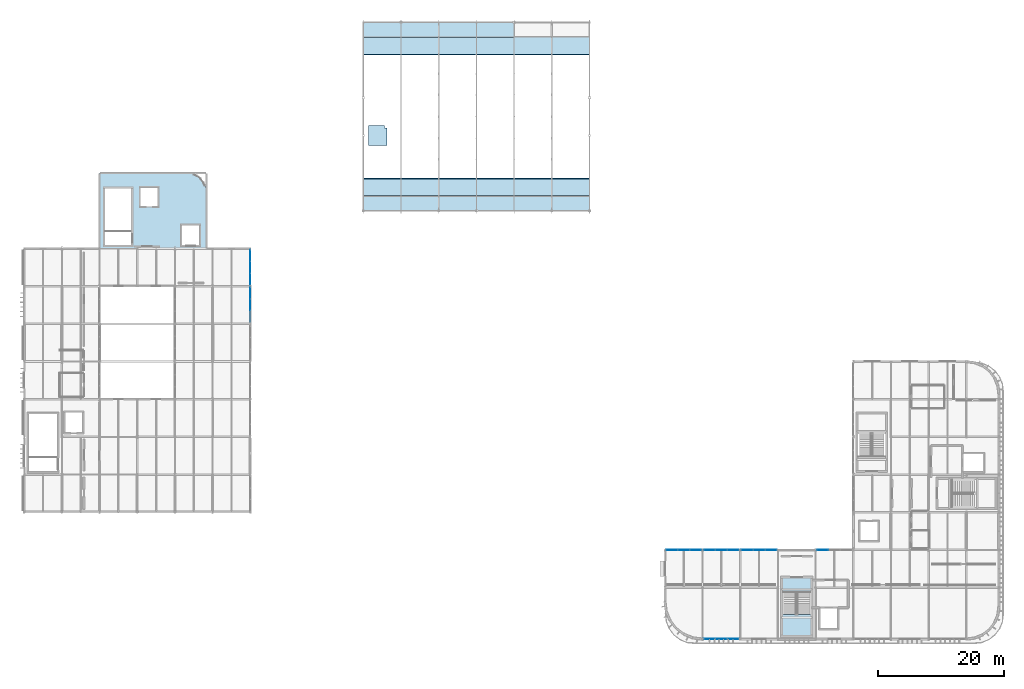
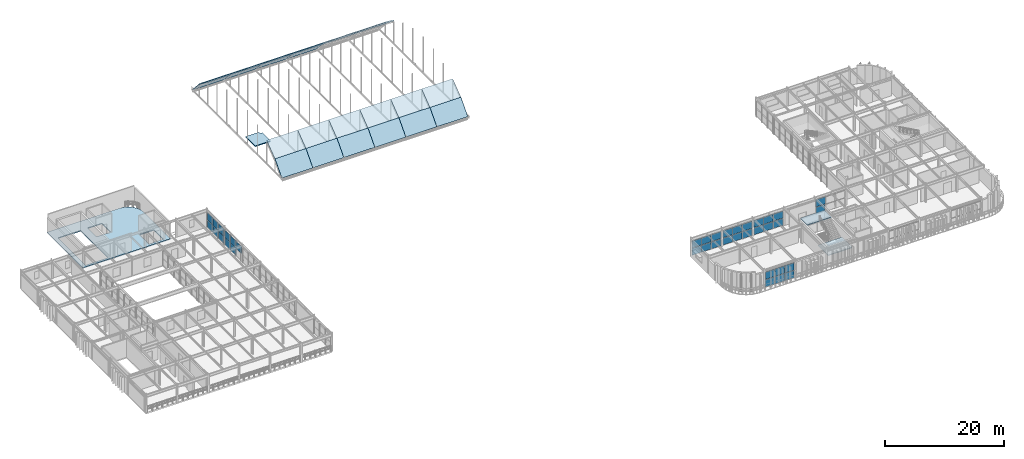
# One storey, part 44 of 63: 37 plates, 26 slabs, 8 elements without a shape of their own.
"""IFC4 building model written with IfcOpenShell, lengths in metres."""

from ifc_helpers import new_model, si_unit, direction, frame, origin, origin_2d, place, context, subcontext, project, spatial, polyline, rectangle, outline, extrude, material, layer, layer_set, type_object, element, aggregate, save


model = new_model("IFC4")

# Units and contexts
model_context = context("Model", 3, precision=1e-05, world=origin(), true_north=direction((0.0, 1.0)))
body_context = subcontext(model_context, "Body", "Model", "MODEL_VIEW")
ifc_project = project(units=[si_unit("LENGTHUNIT", "METRE"), si_unit("AREAUNIT", "SQUARE_METRE"), si_unit("VOLUMEUNIT", "CUBIC_METRE"), si_unit("PLANEANGLEUNIT", "RADIAN"), si_unit("MASSUNIT", "GRAM", prefix="KILO")], contexts=[model_context])

# Site, building, storey
site_placement = place(None, origin())
site = spatial("IfcSite", under=ifc_project, at=site_placement, CompositionType="ELEMENT")
building_placement = place(site_placement, origin())
building = spatial("IfcBuilding", under=site, at=building_placement, Name="Varnakota Square Police Headquarters", CompositionType="ELEMENT")
storey_placement = place(building_placement, frame((0.0, 0.0, 22.199951171875)))
storey = spatial("IfcBuildingStorey", under=building, at=storey_placement, Name="L05", CompositionType="ELEMENT", Elevation=22.199951171875)

# Curtain wall, plates
ifc_material_1 = material(Name="Anodised Aluminium Framing", Category="aluminium")
curtain_wall_type_1 = type_object("IfcCurtainWallType", Name="CW-SYS-C", PredefinedType="NOTDEFINED", material=ifc_material_1)
curtain_wall_1_placement = place(storey_placement, origin())
curtain_wall_1 = element("IfcCurtainWall", 1, at=curtain_wall_1_placement, inside=storey, type_object=curtain_wall_type_1, Name="Unitised curtain wall CWG-L05-099", PredefinedType="NOTDEFINED")
ifc_material_2 = material(Name="Solar-Control Laminated Double Glazing", Category="glass")
ifc_layer_1 = layer(ifc_material_2, 0.028076171875, Name="Solar-Control Laminated Double Glazing")
ifc_layer_set_1 = layer_set([ifc_layer_1], Name="Solar-Control Laminated Double Glazing")
plate_type_1 = type_object("IfcPlateType", Name="CWP-GLZ-28", PredefinedType="CURTAIN_PANEL", material=ifc_layer_set_1)
plate_1_placement = place(storey_placement, frame((115.10302734375, 0.800048828125, 0.06494140625), z_axis=(0.0, 0.0, 1.0), x_axis=(1.0, 0.0, 0.0)))
plate_1 = element("IfcPlate", 2, at=plate_1_placement, type_object=plate_type_1, Name="CWG-L05-099 panel 1.1", PredefinedType="CURTAIN_PANEL", context=body_context, shape_type="SweptSolid", body=[
    extrude(rectangle(XDim=1.81591796875, YDim=0.028076171875, at=origin_2d()), origin(), (0.0, 0.0, 1.0), 1.517578125),
])
plate_2_placement = place(storey_placement, frame((117.0, 0.800048828125, 0.06494140625), z_axis=(0.0, 0.0, 1.0), x_axis=(1.0, 0.0, 0.0)))
plate_2 = element("IfcPlate", 3, at=plate_2_placement, type_object=plate_type_1, Name="CWG-L05-099 panel 2.1", PredefinedType="CURTAIN_PANEL", context=body_context, shape_type="SweptSolid", body=[
    extrude(rectangle(XDim=1.848388671875, YDim=0.028076171875, at=origin_2d()), origin(), (0.0, 0.0, 1.0), 1.517578125),
])
plate_3_placement = place(storey_placement, frame((118.89697265625, 0.800048828125, 0.06494140625), z_axis=(0.0, 0.0, 1.0), x_axis=(1.0, 0.0, 0.0)))
plate_3 = element("IfcPlate", 4, at=plate_3_placement, type_object=plate_type_1, Name="CWG-L05-099 panel 3.1", PredefinedType="CURTAIN_PANEL", context=body_context, shape_type="SweptSolid", body=[
    extrude(rectangle(XDim=1.81591796875, YDim=0.028076171875, at=origin_2d()), origin(), (0.0, 0.0, 1.0), 1.517578125),
])

curtain_wall_type_2 = type_object("IfcCurtainWallType", Name="CW-SYS-D", PredefinedType="NOTDEFINED", material=ifc_material_1)
curtain_wall_2_placement = place(storey_placement, origin())
curtain_wall_2 = element("IfcCurtainWall", 5, at=curtain_wall_2_placement, inside=storey, type_object=curtain_wall_type_2, Name="Unitised curtain wall CWG-L05-103", PredefinedType="NOTDEFINED")
plate_4_placement = place(storey_placement, frame((115.10302734375, 15.0, 0.065185546875), z_axis=(0.0, 0.0, 1.0), x_axis=(1.0, 0.0, 0.0)))
plate_4 = element("IfcPlate", 6, at=plate_4_placement, type_object=plate_type_1, Name="CWG-L05-103 panel 1.1", PredefinedType="CURTAIN_PANEL", context=body_context, shape_type="SweptSolid", body=[
    extrude(rectangle(XDim=1.81591796875, YDim=0.028076171875, at=origin_2d()), origin(), (0.0, 0.0, 1.0), 1.4423828125),
])
plate_5_placement = place(storey_placement, frame((117.0, 15.0, 0.065185546875), z_axis=(0.0, 0.0, 1.0), x_axis=(1.0, 0.0, 0.0)))
plate_5 = element("IfcPlate", 7, at=plate_5_placement, type_object=plate_type_1, Name="CWG-L05-103 panel 2.1", PredefinedType="CURTAIN_PANEL", context=body_context, shape_type="SweptSolid", body=[
    extrude(rectangle(XDim=1.848388671875, YDim=0.028076171875, at=origin_2d()), origin(), (0.0, 0.0, 1.0), 1.4423828125),
])
plate_6_placement = place(storey_placement, frame((118.89697265625, 15.0, 0.065185546875), z_axis=(0.0, 0.0, 1.0), x_axis=(1.0, 0.0, 0.0)))
plate_6 = element("IfcPlate", 8, at=plate_6_placement, type_object=plate_type_1, Name="CWG-L05-103 panel 3.1", PredefinedType="CURTAIN_PANEL", context=body_context, shape_type="SweptSolid", body=[
    extrude(rectangle(XDim=1.81591796875, YDim=0.028076171875, at=origin_2d()), origin(), (0.0, 0.0, 1.0), 1.4423828125),
])

curtain_wall_3_placement = place(storey_placement, origin())
curtain_wall_3 = element("IfcCurtainWall", 9, at=curtain_wall_3_placement, inside=storey, type_object=curtain_wall_type_2, Name="Unitised curtain wall CWG-L05-104", PredefinedType="NOTDEFINED")
ifc_material_3 = material(Name="Acoustic Laminated Double Glazing", Category="glass")
ifc_layer_2 = layer(ifc_material_3, 0.031982421875, Name="Acoustic Laminated Double Glazing")
ifc_layer_set_2 = layer_set([ifc_layer_2], Name="Acoustic Laminated Double Glazing")
plate_type_2 = type_object("IfcPlateType", Name="CWP-GLZ-32", PredefinedType="CURTAIN_PANEL", material=ifc_layer_set_2)
plate_7_placement = place(storey_placement, frame((121.10302734375, 15.0, 0.065185546875), z_axis=(0.0, 0.0, 1.0), x_axis=(1.0, 0.0, 0.0)))
plate_7 = element("IfcPlate", 10, at=plate_7_placement, type_object=plate_type_2, Name="CWG-L05-104 panel 1.1", PredefinedType="CURTAIN_PANEL", context=body_context, shape_type="SweptSolid", body=[
    extrude(rectangle(XDim=1.81591796875, YDim=0.031982421875, at=origin_2d()), origin(), (0.0, 0.0, 1.0), 1.4423828125),
])
plate_8_placement = place(storey_placement, frame((123.0, 15.0, 0.065185546875), z_axis=(0.0, 0.0, 1.0), x_axis=(1.0, 0.0, 0.0)))
plate_8 = element("IfcPlate", 11, at=plate_8_placement, type_object=plate_type_2, Name="CWG-L05-104 panel 2.1", PredefinedType="CURTAIN_PANEL", context=body_context, shape_type="SweptSolid", body=[
    extrude(rectangle(XDim=1.848388671875, YDim=0.031982421875, at=origin_2d()), origin(), (0.0, 0.0, 1.0), 1.4423828125),
])
plate_9_placement = place(storey_placement, frame((124.89697265625, 15.0, 0.065185546875), z_axis=(0.0, 0.0, 1.0), x_axis=(1.0, 0.0, 0.0)))
plate_9 = element("IfcPlate", 12, at=plate_9_placement, type_object=plate_type_2, Name="CWG-L05-104 panel 3.1", PredefinedType="CURTAIN_PANEL", context=body_context, shape_type="SweptSolid", body=[
    extrude(rectangle(XDim=1.81591796875, YDim=0.031982421875, at=origin_2d()), origin(), (0.0, 0.0, 1.0), 1.4423828125),
])

curtain_wall_4_placement = place(storey_placement, origin())
curtain_wall_4 = element("IfcCurtainWall", 13, at=curtain_wall_4_placement, inside=storey, type_object=curtain_wall_type_2, Name="Unitised curtain wall CWG-L05-196", PredefinedType="NOTDEFINED")
plate_10_placement = place(storey_placement, frame((42.0, 54.0625, 0.065185546875), z_axis=(0.0, 0.0, 1.0), x_axis=(0.0, 1.0, 0.0)))
plate_10 = element("IfcPlate", 14, at=plate_10_placement, type_object=plate_type_2, Name="CWG-L05-196 panel 2.1", PredefinedType="CURTAIN_PANEL", context=body_context, shape_type="SweptSolid", body=[
    extrude(rectangle(XDim=1.806640625, YDim=0.031982421875, at=origin_2d()), origin(), (0.0, 0.0, 1.0), 1.4423828125),
])
plate_11_placement = place(storey_placement, frame((42.0, 55.91796875, 0.065185546875), z_axis=(0.0, 0.0, 1.0), x_axis=(0.0, 1.0, 0.0)))
plate_11 = element("IfcPlate", 15, at=plate_11_placement, type_object=plate_type_2, Name="CWG-L05-196 panel 3.1", PredefinedType="CURTAIN_PANEL", context=body_context, shape_type="SweptSolid", body=[
    extrude(rectangle(XDim=1.774169921875, YDim=0.031982421875, at=origin_2d()), origin(), (0.0, 0.0, 1.0), 1.4423828125),
])

# Curtain wall, plate
curtain_wall_5_placement = place(storey_placement, origin())
curtain_wall_5 = element("IfcCurtainWall", 16, at=curtain_wall_5_placement, inside=storey, type_object=curtain_wall_type_2, Name="Unitised curtain wall CWG-L05-105", PredefinedType="NOTDEFINED")
ifc_material_4 = material(Name="Blast-Resistant Laminated Glazing", Category="glass")
ifc_layer_3 = layer(ifc_material_4, 0.035888671875, Name="Blast-Resistant Laminated Glazing")
ifc_layer_set_3 = layer_set([ifc_layer_3], Name="Blast-Resistant Laminated Glazing")
plate_type_3 = type_object("IfcPlateType", Name="CWP-GLZ-36", PredefinedType="CURTAIN_PANEL", material=ifc_layer_set_3)
plate_12_placement = place(storey_placement, frame((133.10302734375, 15.0, 0.06494140625), z_axis=(0.0, 0.0, 1.0), x_axis=(1.0, 0.0, 0.0)))
plate_12 = element("IfcPlate", 17, at=plate_12_placement, type_object=plate_type_3, Name="CWG-L05-105 panel 1.1", PredefinedType="CURTAIN_PANEL", context=body_context, shape_type="SweptSolid", body=[
    extrude(rectangle(XDim=1.81591796875, YDim=0.035888671875, at=origin_2d()), origin(), (0.0, 0.0, 1.0), 1.467529296875),
])

# Curtain wall, plates
curtain_wall_6_placement = place(storey_placement, origin())
curtain_wall_6 = element("IfcCurtainWall", 18, at=curtain_wall_6_placement, inside=storey, type_object=curtain_wall_type_2, Name="Unitised curtain wall CWG-L05-197", PredefinedType="NOTDEFINED")
plate_13_placement = place(storey_placement, frame((42.0, 58.0986328125, 0.065185546875), z_axis=(0.0, 0.0, 1.0), x_axis=(0.0, 1.0, 0.0)))
plate_13 = element("IfcPlate", 19, at=plate_13_placement, type_object=plate_type_3, Name="CWG-L05-197 panel 1.1", PredefinedType="CURTAIN_PANEL", context=body_context, shape_type="SweptSolid", body=[
    extrude(rectangle(XDim=1.8076171875, YDim=0.035888671875, at=origin_2d()), origin(), (0.0, 0.0, 1.0), 1.4423828125),
])
plate_14_placement = place(storey_placement, frame((42.0, 59.987548828125, 0.065185546875), z_axis=(0.0, 0.0, 1.0), x_axis=(0.0, 1.0, 0.0)))
plate_14 = element("IfcPlate", 20, at=plate_14_placement, type_object=plate_type_3, Name="CWG-L05-197 panel 2.1", PredefinedType="CURTAIN_PANEL", context=body_context, shape_type="SweptSolid", body=[
    extrude(rectangle(XDim=1.840087890625, YDim=0.035888671875, at=origin_2d()), origin(), (0.0, 0.0, 1.0), 1.4423828125),
])
plate_15_placement = place(storey_placement, frame((42.0, 61.876220703125, 0.065185546875), z_axis=(0.0, 0.0, 1.0), x_axis=(0.0, 1.0, 0.0)))
plate_15 = element("IfcPlate", 21, at=plate_15_placement, type_object=plate_type_3, Name="CWG-L05-197 panel 3.1", PredefinedType="CURTAIN_PANEL", context=body_context, shape_type="SweptSolid", body=[
    extrude(rectangle(XDim=1.8076171875, YDim=0.035888671875, at=origin_2d()), origin(), (0.0, 0.0, 1.0), 1.4423828125),
])

curtain_wall_7_placement = place(storey_placement, origin())
curtain_wall_7 = element("IfcCurtainWall", 22, at=curtain_wall_7_placement, inside=storey, type_object=curtain_wall_type_2, Name="Unitised curtain wall CWG-L05-102", PredefinedType="NOTDEFINED")
ifc_material_5 = material(Name="Triple-Glazed Clean-Lab Vision Unit", Category="aluminium")
ifc_layer_4 = layer(ifc_material_5, 0.0419921875, Name="Triple-Glazed Clean-Lab Vision Unit")
ifc_layer_set_4 = layer_set([ifc_layer_4], Name="Triple-Glazed Clean-Lab Vision Unit")
plate_type_4 = type_object("IfcPlateType", Name="CWP-GLZ-42", PredefinedType="CURTAIN_PANEL", material=ifc_layer_set_4)
plate_16_placement = place(storey_placement, frame((109.10302734375, 15.0, 0.065185546875), z_axis=(0.0, 0.0, 1.0), x_axis=(1.0, 0.0, 0.0)))
plate_16 = element("IfcPlate", 23, at=plate_16_placement, type_object=plate_type_4, Name="CWG-L05-102 panel 1.1", PredefinedType="CURTAIN_PANEL", context=body_context, shape_type="SweptSolid", body=[
    extrude(rectangle(XDim=1.81591796875, YDim=0.0419921875, at=origin_2d()), origin(), (0.0, 0.0, 1.0), 1.4423828125),
])
plate_17_placement = place(storey_placement, frame((111.0, 15.0, 0.065185546875), z_axis=(0.0, 0.0, 1.0), x_axis=(1.0, 0.0, 0.0)))
plate_17 = element("IfcPlate", 24, at=plate_17_placement, type_object=plate_type_4, Name="CWG-L05-102 panel 2.1", PredefinedType="CURTAIN_PANEL", context=body_context, shape_type="SweptSolid", body=[
    extrude(rectangle(XDim=1.848388671875, YDim=0.0419921875, at=origin_2d()), origin(), (0.0, 0.0, 1.0), 1.4423828125),
])
plate_18_placement = place(storey_placement, frame((112.89697265625, 15.0, 0.065185546875), z_axis=(0.0, 0.0, 1.0), x_axis=(1.0, 0.0, 0.0)))
plate_18 = element("IfcPlate", 25, at=plate_18_placement, type_object=plate_type_4, Name="CWG-L05-102 panel 3.1", PredefinedType="CURTAIN_PANEL", context=body_context, shape_type="SweptSolid", body=[
    extrude(rectangle(XDim=1.81591796875, YDim=0.0419921875, at=origin_2d()), origin(), (0.0, 0.0, 1.0), 1.4423828125),
])

# Plate
ifc_material_6 = material(Name="Insulated Anodised Aluminium Spandrel Panel", Category="aluminium")
ifc_layer_5 = layer(ifc_material_6, 0.050048828125, Name="Insulated Anodised Aluminium Spandrel Panel")
ifc_layer_set_5 = layer_set([ifc_layer_5], Name="Insulated Anodised Aluminium Spandrel Panel")
plate_type_5 = type_object("IfcPlateType", Name="CWP-SPN-50", PredefinedType="CURTAIN_PANEL", material=ifc_layer_set_5)
plate_19_placement = place(storey_placement, frame((115.10302734375, 0.800048828125, 1.6474609375), z_axis=(0.0, 0.0, 1.0), x_axis=(1.0, 0.0, 0.0)))
plate_19 = element("IfcPlate", 26, at=plate_19_placement, type_object=plate_type_5, Name="CWG-L05-099 panel 1.2", PredefinedType="CURTAIN_PANEL", context=body_context, shape_type="SweptSolid", body=[
    extrude(rectangle(XDim=1.81591796875, YDim=0.050048828125, at=origin_2d()), origin(), (0.0, 0.0, 1.0), 1.517578125),
])

plate_20_placement = place(storey_placement, frame((117.0, 0.800048828125, 1.6474609375), z_axis=(0.0, 0.0, 1.0), x_axis=(1.0, 0.0, 0.0)))
plate_20 = element("IfcPlate", 27, at=plate_20_placement, type_object=plate_type_5, Name="CWG-L05-099 panel 2.2", PredefinedType="CURTAIN_PANEL", context=body_context, shape_type="SweptSolid", body=[
    extrude(rectangle(XDim=1.848388671875, YDim=0.050048828125, at=origin_2d()), origin(), (0.0, 0.0, 1.0), 1.517578125),
])

plate_21_placement = place(storey_placement, frame((118.89697265625, 0.800048828125, 1.6474609375), z_axis=(0.0, 0.0, 1.0), x_axis=(1.0, 0.0, 0.0)))
plate_21 = element("IfcPlate", 28, at=plate_21_placement, type_object=plate_type_5, Name="CWG-L05-099 panel 3.2", PredefinedType="CURTAIN_PANEL", context=body_context, shape_type="SweptSolid", body=[
    extrude(rectangle(XDim=1.81591796875, YDim=0.050048828125, at=origin_2d()), origin(), (0.0, 0.0, 1.0), 1.517578125),
])

aggregate(curtain_wall_1, [plate_1, plate_19, plate_2, plate_20, plate_3, plate_21])

plate_22_placement = place(storey_placement, frame((115.10302734375, 15.0, 1.572509765625), z_axis=(0.0, 0.0, 1.0), x_axis=(1.0, 0.0, 0.0)))
plate_22 = element("IfcPlate", 29, at=plate_22_placement, type_object=plate_type_5, Name="CWG-L05-103 panel 1.2", PredefinedType="CURTAIN_PANEL", context=body_context, shape_type="SweptSolid", body=[
    extrude(rectangle(XDim=1.81591796875, YDim=0.050048828125, at=origin_2d()), origin(), (0.0, 0.0, 1.0), 1.4423828125),
])

plate_23_placement = place(storey_placement, frame((117.0, 15.0, 1.572509765625), z_axis=(0.0, 0.0, 1.0), x_axis=(1.0, 0.0, 0.0)))
plate_23 = element("IfcPlate", 30, at=plate_23_placement, type_object=plate_type_5, Name="CWG-L05-103 panel 2.2", PredefinedType="CURTAIN_PANEL", context=body_context, shape_type="SweptSolid", body=[
    extrude(rectangle(XDim=1.848388671875, YDim=0.050048828125, at=origin_2d()), origin(), (0.0, 0.0, 1.0), 1.4423828125),
])

plate_24_placement = place(storey_placement, frame((118.89697265625, 15.0, 1.572509765625), z_axis=(0.0, 0.0, 1.0), x_axis=(1.0, 0.0, 0.0)))
plate_24 = element("IfcPlate", 31, at=plate_24_placement, type_object=plate_type_5, Name="CWG-L05-103 panel 3.2", PredefinedType="CURTAIN_PANEL", context=body_context, shape_type="SweptSolid", body=[
    extrude(rectangle(XDim=1.81591796875, YDim=0.050048828125, at=origin_2d()), origin(), (0.0, 0.0, 1.0), 1.4423828125),
])

aggregate(curtain_wall_2, [plate_4, plate_22, plate_5, plate_23, plate_6, plate_24])

plate_25_placement = place(storey_placement, frame((133.10302734375, 15.0, 1.59765625), z_axis=(0.0, 0.0, 1.0), x_axis=(1.0, 0.0, 0.0)))
plate_25 = element("IfcPlate", 32, at=plate_25_placement, type_object=plate_type_5, Name="CWG-L05-105 panel 1.2", PredefinedType="CURTAIN_PANEL", context=body_context, shape_type="SweptSolid", body=[
    extrude(rectangle(XDim=1.81591796875, YDim=0.050048828125, at=origin_2d()), origin(), (0.0, 0.0, 1.0), 1.467529296875),
])

aggregate(curtain_wall_5, [plate_12, plate_25])

plate_26_placement = place(storey_placement, frame((42.0, 58.0986328125, 1.572509765625), z_axis=(0.0, 0.0, 1.0), x_axis=(0.0, 1.0, 0.0)))
plate_26 = element("IfcPlate", 33, at=plate_26_placement, type_object=plate_type_5, Name="CWG-L05-197 panel 1.2", PredefinedType="CURTAIN_PANEL", context=body_context, shape_type="SweptSolid", body=[
    extrude(rectangle(XDim=1.8076171875, YDim=0.050048828125, at=origin_2d()), origin(), (0.0, 0.0, 1.0), 1.4423828125),
])

plate_27_placement = place(storey_placement, frame((42.0, 59.987548828125, 1.572509765625), z_axis=(0.0, 0.0, 1.0), x_axis=(0.0, 1.0, 0.0)))
plate_27 = element("IfcPlate", 34, at=plate_27_placement, type_object=plate_type_5, Name="CWG-L05-197 panel 2.2", PredefinedType="CURTAIN_PANEL", context=body_context, shape_type="SweptSolid", body=[
    extrude(rectangle(XDim=1.840087890625, YDim=0.050048828125, at=origin_2d()), origin(), (0.0, 0.0, 1.0), 1.4423828125),
])

plate_28_placement = place(storey_placement, frame((42.0, 61.876220703125, 1.572509765625), z_axis=(0.0, 0.0, 1.0), x_axis=(0.0, 1.0, 0.0)))
plate_28 = element("IfcPlate", 35, at=plate_28_placement, type_object=plate_type_5, Name="CWG-L05-197 panel 3.2", PredefinedType="CURTAIN_PANEL", context=body_context, shape_type="SweptSolid", body=[
    extrude(rectangle(XDim=1.8076171875, YDim=0.050048828125, at=origin_2d()), origin(), (0.0, 0.0, 1.0), 1.4423828125),
])

aggregate(curtain_wall_6, [plate_13, plate_26, plate_14, plate_27, plate_15, plate_28])

ifc_material_7 = material(Name="Fire-Stopped Mineral-Wool Spandrel Panel", Category="aluminium")
ifc_layer_6 = layer(ifc_material_7, 0.06005859375, Name="Fire-Stopped Mineral-Wool Spandrel Panel")
ifc_layer_set_6 = layer_set([ifc_layer_6], Name="Fire-Stopped Mineral-Wool Spandrel Panel")
plate_type_6 = type_object("IfcPlateType", Name="CWP-SPN-60", PredefinedType="CURTAIN_PANEL", material=ifc_layer_set_6)
plate_29_placement = place(storey_placement, frame((109.10302734375, 15.0, 1.572509765625), z_axis=(0.0, 0.0, 1.0), x_axis=(1.0, 0.0, 0.0)))
plate_29 = element("IfcPlate", 36, at=plate_29_placement, type_object=plate_type_6, Name="CWG-L05-102 panel 1.2", PredefinedType="CURTAIN_PANEL", context=body_context, shape_type="SweptSolid", body=[
    extrude(rectangle(XDim=1.81591796875, YDim=0.06005859375, at=origin_2d()), origin(), (0.0, 0.0, 1.0), 1.4423828125),
])

plate_30_placement = place(storey_placement, frame((111.0, 15.0, 1.572509765625), z_axis=(0.0, 0.0, 1.0), x_axis=(1.0, 0.0, 0.0)))
plate_30 = element("IfcPlate", 37, at=plate_30_placement, type_object=plate_type_6, Name="CWG-L05-102 panel 2.2", PredefinedType="CURTAIN_PANEL", context=body_context, shape_type="SweptSolid", body=[
    extrude(rectangle(XDim=1.848388671875, YDim=0.06005859375, at=origin_2d()), origin(), (0.0, 0.0, 1.0), 1.4423828125),
])

plate_31_placement = place(storey_placement, frame((112.89697265625, 15.0, 1.572509765625), z_axis=(0.0, 0.0, 1.0), x_axis=(1.0, 0.0, 0.0)))
plate_31 = element("IfcPlate", 38, at=plate_31_placement, type_object=plate_type_6, Name="CWG-L05-102 panel 3.2", PredefinedType="CURTAIN_PANEL", context=body_context, shape_type="SweptSolid", body=[
    extrude(rectangle(XDim=1.81591796875, YDim=0.06005859375, at=origin_2d()), origin(), (0.0, 0.0, 1.0), 1.4423828125),
])

aggregate(curtain_wall_7, [plate_16, plate_29, plate_17, plate_30, plate_18, plate_31])

plate_32_placement = place(storey_placement, frame((121.10302734375, 15.0, 1.572509765625), z_axis=(0.0, 0.0, 1.0), x_axis=(1.0, 0.0, 0.0)))
plate_32 = element("IfcPlate", 39, at=plate_32_placement, type_object=plate_type_6, Name="CWG-L05-104 panel 1.2", PredefinedType="CURTAIN_PANEL", context=body_context, shape_type="SweptSolid", body=[
    extrude(rectangle(XDim=1.81591796875, YDim=0.06005859375, at=origin_2d()), origin(), (0.0, 0.0, 1.0), 1.4423828125),
])

plate_33_placement = place(storey_placement, frame((123.0, 15.0, 1.572509765625), z_axis=(0.0, 0.0, 1.0), x_axis=(1.0, 0.0, 0.0)))
plate_33 = element("IfcPlate", 40, at=plate_33_placement, type_object=plate_type_6, Name="CWG-L05-104 panel 2.2", PredefinedType="CURTAIN_PANEL", context=body_context, shape_type="SweptSolid", body=[
    extrude(rectangle(XDim=1.848388671875, YDim=0.06005859375, at=origin_2d()), origin(), (0.0, 0.0, 1.0), 1.4423828125),
])

plate_34_placement = place(storey_placement, frame((124.89697265625, 15.0, 1.572509765625), z_axis=(0.0, 0.0, 1.0), x_axis=(1.0, 0.0, 0.0)))
plate_34 = element("IfcPlate", 41, at=plate_34_placement, type_object=plate_type_6, Name="CWG-L05-104 panel 3.2", PredefinedType="CURTAIN_PANEL", context=body_context, shape_type="SweptSolid", body=[
    extrude(rectangle(XDim=1.81591796875, YDim=0.06005859375, at=origin_2d()), origin(), (0.0, 0.0, 1.0), 1.4423828125),
])

aggregate(curtain_wall_3, [plate_7, plate_32, plate_8, plate_33, plate_9, plate_34])

plate_35_placement = place(storey_placement, frame((42.0, 52.20703125, 1.572509765625), z_axis=(0.0, 0.0, 1.0), x_axis=(0.0, 1.0, 0.0)))
plate_35 = element("IfcPlate", 42, at=plate_35_placement, type_object=plate_type_6, Name="CWG-L05-196 panel 1.2", PredefinedType="CURTAIN_PANEL", context=body_context, shape_type="SweptSolid", body=[
    extrude(rectangle(XDim=1.774169921875, YDim=0.06005859375, at=origin_2d()), origin(), (0.0, 0.0, 1.0), 1.4423828125),
])

plate_36_placement = place(storey_placement, frame((42.0, 54.0625, 1.572509765625), z_axis=(0.0, 0.0, 1.0), x_axis=(0.0, 1.0, 0.0)))
plate_36 = element("IfcPlate", 43, at=plate_36_placement, type_object=plate_type_6, Name="CWG-L05-196 panel 2.2", PredefinedType="CURTAIN_PANEL", context=body_context, shape_type="SweptSolid", body=[
    extrude(rectangle(XDim=1.806640625, YDim=0.06005859375, at=origin_2d()), origin(), (0.0, 0.0, 1.0), 1.4423828125),
])

plate_37_placement = place(storey_placement, frame((42.0, 55.91796875, 1.572509765625), z_axis=(0.0, 0.0, 1.0), x_axis=(0.0, 1.0, 0.0)))
plate_37 = element("IfcPlate", 44, at=plate_37_placement, type_object=plate_type_6, Name="CWG-L05-196 panel 3.2", PredefinedType="CURTAIN_PANEL", context=body_context, shape_type="SweptSolid", body=[
    extrude(rectangle(XDim=1.774169921875, YDim=0.06005859375, at=origin_2d()), origin(), (0.0, 0.0, 1.0), 1.4423828125),
])

aggregate(curtain_wall_4, [plate_35, plate_10, plate_36, plate_11, plate_37])

# Slabs
ifc_material_8 = material(Name="Concrete M40", Category="concrete")
ifc_layer_7 = layer(ifc_material_8, 0.179931640625, Name="Concrete M40")
ifc_layer_set_7 = layer_set([ifc_layer_7], Name="Concrete M40")
slab_type_1 = type_object("IfcSlabType", Name="SL-COMP-180", PredefinedType="FLOOR", material=ifc_layer_set_7)
slab_1_placement = place(storey_placement, frame((0.0, 0.0, -0.179931640625)))
element("IfcSlab", 45, at=slab_1_placement, inside=storey, type_object=slab_type_1, Name="L05 Core C5 Lobby Slab", PredefinedType="FLOOR", context=body_context, shape_type="SweptSolid", body=[
    extrude(outline(polyline([(18.0, 63.0), (35.0, 63.0), (35.0, 72.0), (34.897705078125, 72.776611328125), (34.59814453125, 73.5), (34.121337890625, 74.121337890625), (33.5, 74.59814453125), (32.776611328125, 74.897705078125), (32.0, 75.0), (18.0, 75.0), (18.0, 63.0)]), holes=[polyline([(18.7548828125, 63.455078125), (23.14501953125, 63.455078125), (23.14501953125, 72.64501953125), (18.7548828125, 72.64501953125), (18.7548828125, 63.455078125)]), polyline([(24.514892578125, 69.715087890625), (27.284912109375, 69.715087890625), (27.284912109375, 72.68505859375), (24.514892578125, 72.68505859375), (24.514892578125, 69.715087890625)]), polyline([(31.114990234375, 63.514892578125), (33.885009765625, 63.514892578125), (33.885009765625, 66.68505859375), (31.114990234375, 66.68505859375), (31.114990234375, 63.514892578125)])]), origin(), (0.0, 0.0, 1.0), 0.179931640625),
])
ifc_layer_8 = layer(ifc_material_8, 0.199951171875, Name="Concrete M40")
ifc_layer_set_8 = layer_set([ifc_layer_8], Name="Concrete M40")
slab_type_2 = type_object("IfcSlabType", Name="SL-COMP-200", PredefinedType="FLOOR", material=ifc_layer_set_8)
slab_2_placement = place(storey_placement, frame((0.0, 0.0, -0.199951171875)))
element("IfcSlab", 46, at=slab_2_placement, inside=storey, type_object=slab_type_2, Name="Lift shaft top slab LF-P4", PredefinedType="FLOOR", context=body_context, shape_type="SweptSolid", body=[
    extrude(outline(polyline([(60.800048828125, 79.39990234375), (63.800048828125, 79.39990234375), (63.800048828125, 82.14990234375), (63.35009765625, 82.14990234375), (63.35009765625, 82.60009765625), (60.800048828125, 82.60009765625), (60.800048828125, 79.39990234375)])), origin(), (0.0, 0.0, 1.0), 0.199951171875),
])
ifc_layer_9 = layer(ifc_material_8, 0.139892578125, Name="Concrete M40")
ifc_layer_set_9 = layer_set([ifc_layer_9], Name="Concrete M40")
slab_type_3 = type_object("IfcSlabType", Name="SL-VLT-140", PredefinedType="ROOF", material=ifc_layer_set_9)
slab_3_placement = place(storey_placement, frame((60.0, 69.0, 0.0), z_axis=(0.0, -0.740985858159, 0.671520631111), x_axis=(1.0, 0.0, 0.0)))
element("IfcSlab", 47, at=slab_3_placement, inside=storey, type_object=slab_type_3, Name="Barrel vault roof deck strip V2-B01-S01", PredefinedType="ROOF", context=body_context, shape_type="SweptSolid", body=[
    extrude(outline(polyline([(0.0, 0.0), (6.0, 0.0), (6.0, 3.4723983171102333), (0.0, 3.4723983171102333), (0.0, 0.0)])), origin(), (0.0, 0.0, -1.0), 0.139892578125),
])
for number, where, z_axis, x_axis, name in (
    (48, (60.0, 71.331787109375, 2.572998046875), (0.0, -0.604512657689, 0.796595535196), (1.0, 0.0, 0.0), "Barrel vault roof deck strip V2-B01-S02"),
    (49, (60.0, 93.902099609375, 4.672119140625), (0.0, 0.604512657689, 0.796595535196), (1.0, 0.0, 0.0), "Barrel vault roof deck strip V2-B01-S09"),
):
    element("IfcSlab", number, at=place(storey_placement, frame(where, z_axis=z_axis, x_axis=x_axis)), inside=storey, type_object=slab_type_3, Name=name, PredefinedType="ROOF", context=body_context, shape_type="SweptSolid", body=[
        extrude(outline(polyline([(0.0, 0.0), (6.0, 0.0), (6.0, 3.4724187608832313), (0.0, 3.4724187608832313), (0.0, 0.0)])), origin(), (0.0, 0.0, -1.0), 0.139892578125),
    ])
for number, where, z_axis, x_axis, name in (
    (50, (60.0, 96.668212890625, 2.572998046875), (0.0, 0.740985858159, 0.671520631111), (1.0, 0.0, 0.0), "Barrel vault roof deck strip V2-B01-S10"),
    (51, (66.0, 69.0, 0.0), (0.0, -0.740985858159, 0.671520631111), (1.0, 0.0, 0.0), "Barrel vault roof deck strip V2-B02-S01"),
):
    element("IfcSlab", number, at=place(storey_placement, frame(where, z_axis=z_axis, x_axis=x_axis)), inside=storey, type_object=slab_type_3, Name=name, PredefinedType="ROOF", context=body_context, shape_type="SweptSolid", body=[
        extrude(outline(polyline([(0.0, 0.0), (6.0, 0.0), (6.0, 3.4723983171102333), (0.0, 3.4723983171102333), (0.0, 0.0)])), origin(), (0.0, 0.0, -1.0), 0.139892578125),
    ])
for number, where, z_axis, x_axis, name in (
    (52, (66.0, 71.331787109375, 2.572998046875), (0.0, -0.604512657689, 0.796595535196), (1.0, 0.0, 0.0), "Barrel vault roof deck strip V2-B02-S02"),
    (53, (66.0, 93.902099609375, 4.672119140625), (0.0, 0.604512657689, 0.796595535196), (1.0, 0.0, 0.0), "Barrel vault roof deck strip V2-B02-S09"),
):
    element("IfcSlab", number, at=place(storey_placement, frame(where, z_axis=z_axis, x_axis=x_axis)), inside=storey, type_object=slab_type_3, Name=name, PredefinedType="ROOF", context=body_context, shape_type="SweptSolid", body=[
        extrude(outline(polyline([(0.0, 0.0), (6.0, 0.0), (6.0, 3.4724187608832313), (0.0, 3.4724187608832313), (0.0, 0.0)])), origin(), (0.0, 0.0, -1.0), 0.139892578125),
    ])
for number, where, z_axis, x_axis, name in (
    (54, (66.0, 96.668212890625, 2.572998046875), (0.0, 0.740985858159, 0.671520631111), (1.0, 0.0, 0.0), "Barrel vault roof deck strip V2-B02-S10"),
    (55, (72.0, 69.0, 0.0), (0.0, -0.740985858159, 0.671520631111), (1.0, 0.0, 0.0), "Barrel vault roof deck strip V2-B03-S01"),
):
    element("IfcSlab", number, at=place(storey_placement, frame(where, z_axis=z_axis, x_axis=x_axis)), inside=storey, type_object=slab_type_3, Name=name, PredefinedType="ROOF", context=body_context, shape_type="SweptSolid", body=[
        extrude(outline(polyline([(0.0, 0.0), (6.0, 0.0), (6.0, 3.4723983171102333), (0.0, 3.4723983171102333), (0.0, 0.0)])), origin(), (0.0, 0.0, -1.0), 0.139892578125),
    ])
for number, where, z_axis, x_axis, name in (
    (56, (72.0, 71.331787109375, 2.572998046875), (0.0, -0.604512657689, 0.796595535196), (1.0, 0.0, 0.0), "Barrel vault roof deck strip V2-B03-S02"),
    (57, (72.0, 93.902099609375, 4.672119140625), (0.0, 0.604512657689, 0.796595535196), (1.0, 0.0, 0.0), "Barrel vault roof deck strip V2-B03-S09"),
):
    element("IfcSlab", number, at=place(storey_placement, frame(where, z_axis=z_axis, x_axis=x_axis)), inside=storey, type_object=slab_type_3, Name=name, PredefinedType="ROOF", context=body_context, shape_type="SweptSolid", body=[
        extrude(outline(polyline([(0.0, 0.0), (6.0, 0.0), (6.0, 3.4724187608832313), (0.0, 3.4724187608832313), (0.0, 0.0)])), origin(), (0.0, 0.0, -1.0), 0.139892578125),
    ])
for number, where, z_axis, x_axis, name in (
    (58, (72.0, 96.668212890625, 2.572998046875), (0.0, 0.740985858159, 0.671520631111), (1.0, 0.0, 0.0), "Barrel vault roof deck strip V2-B03-S10"),
    (59, (78.0, 69.0, 0.0), (0.0, -0.740985858159, 0.671520631111), (1.0, 0.0, 0.0), "Barrel vault roof deck strip V2-B04-S01"),
):
    element("IfcSlab", number, at=place(storey_placement, frame(where, z_axis=z_axis, x_axis=x_axis)), inside=storey, type_object=slab_type_3, Name=name, PredefinedType="ROOF", context=body_context, shape_type="SweptSolid", body=[
        extrude(outline(polyline([(0.0, 0.0), (6.0, 0.0), (6.0, 3.4723983171102333), (0.0, 3.4723983171102333), (0.0, 0.0)])), origin(), (0.0, 0.0, -1.0), 0.139892578125),
    ])
for number, where, z_axis, x_axis, name in (
    (60, (78.0, 71.331787109375, 2.572998046875), (0.0, -0.604512657689, 0.796595535196), (1.0, 0.0, 0.0), "Barrel vault roof deck strip V2-B04-S02"),
    (61, (78.0, 93.902099609375, 4.672119140625), (0.0, 0.604512657689, 0.796595535196), (1.0, 0.0, 0.0), "Barrel vault roof deck strip V2-B04-S09"),
):
    element("IfcSlab", number, at=place(storey_placement, frame(where, z_axis=z_axis, x_axis=x_axis)), inside=storey, type_object=slab_type_3, Name=name, PredefinedType="ROOF", context=body_context, shape_type="SweptSolid", body=[
        extrude(outline(polyline([(0.0, 0.0), (6.0, 0.0), (6.0, 3.4724187608832313), (0.0, 3.4724187608832313), (0.0, 0.0)])), origin(), (0.0, 0.0, -1.0), 0.139892578125),
    ])
for number, where, z_axis, x_axis, name in (
    (62, (78.0, 96.668212890625, 2.572998046875), (0.0, 0.740985858159, 0.671520631111), (1.0, 0.0, 0.0), "Barrel vault roof deck strip V2-B04-S10"),
    (63, (84.0, 69.0, 0.0), (0.0, -0.740985858159, 0.671520631111), (1.0, 0.0, 0.0), "Barrel vault roof deck strip V2-B05-S01"),
):
    element("IfcSlab", number, at=place(storey_placement, frame(where, z_axis=z_axis, x_axis=x_axis)), inside=storey, type_object=slab_type_3, Name=name, PredefinedType="ROOF", context=body_context, shape_type="SweptSolid", body=[
        extrude(outline(polyline([(0.0, 0.0), (6.0, 0.0), (6.0, 3.4723983171102333), (0.0, 3.4723983171102333), (0.0, 0.0)])), origin(), (0.0, 0.0, -1.0), 0.139892578125),
    ])
for number, where, z_axis, x_axis, name in (
    (64, (84.0, 71.331787109375, 2.572998046875), (0.0, -0.604512657689, 0.796595535196), (1.0, 0.0, 0.0), "Barrel vault roof deck strip V2-B05-S02"),
    (65, (84.0, 93.902099609375, 4.672119140625), (0.0, 0.604512657689, 0.796595535196), (1.0, 0.0, 0.0), "Barrel vault roof deck strip V2-B05-S09"),
):
    element("IfcSlab", number, at=place(storey_placement, frame(where, z_axis=z_axis, x_axis=x_axis)), inside=storey, type_object=slab_type_3, Name=name, PredefinedType="ROOF", context=body_context, shape_type="SweptSolid", body=[
        extrude(outline(polyline([(0.0, 0.0), (6.0, 0.0), (6.0, 3.4724187608832313), (0.0, 3.4724187608832313), (0.0, 0.0)])), origin(), (0.0, 0.0, -1.0), 0.139892578125),
    ])
slab_4_placement = place(storey_placement, frame((90.0, 69.0, 0.0), z_axis=(0.0, -0.740985858159, 0.671520631111), x_axis=(1.0, 0.0, 0.0)))
element("IfcSlab", 66, at=slab_4_placement, inside=storey, type_object=slab_type_3, Name="Barrel vault roof deck strip V2-B06-S01", PredefinedType="ROOF", context=body_context, shape_type="SweptSolid", body=[
    extrude(outline(polyline([(0.0, 0.0), (6.0, 0.0), (6.0, 3.4723983171102333), (0.0, 3.4723983171102333), (0.0, 0.0)])), origin(), (0.0, 0.0, -1.0), 0.139892578125),
])
for number, where, z_axis, x_axis, name in (
    (67, (90.0, 71.331787109375, 2.572998046875), (0.0, -0.604512657689, 0.796595535196), (1.0, 0.0, 0.0), "Barrel vault roof deck strip V2-B06-S02"),
    (68, (90.0, 93.902099609375, 4.672119140625), (0.0, 0.604512657689, 0.796595535196), (1.0, 0.0, 0.0), "Barrel vault roof deck strip V2-B06-S09"),
):
    element("IfcSlab", number, at=place(storey_placement, frame(where, z_axis=z_axis, x_axis=x_axis)), inside=storey, type_object=slab_type_3, Name=name, PredefinedType="ROOF", context=body_context, shape_type="SweptSolid", body=[
        extrude(outline(polyline([(0.0, 0.0), (6.0, 0.0), (6.0, 3.4724187608832313), (0.0, 3.4724187608832313), (0.0, 0.0)])), origin(), (0.0, 0.0, -1.0), 0.139892578125),
    ])

# Stair, slabs
stair_type = type_object("IfcStairType", Name="STR-DOG-2000", PredefinedType="USERDEFINED", material=ifc_material_8)
stair_placement = place(storey_placement, origin())
stair = element("IfcStair", 69, at=stair_placement, inside=storey, type_object=stair_type, Name="Protected exit stair ST1 (L05)", ObjectType="TWO_RETURN_STAIR", PredefinedType="USERDEFINED")
ifc_layer_10 = layer(ifc_material_8, 0.166015625, Name="Concrete M40")
ifc_layer_set_10 = layer_set([ifc_layer_10], Name="Concrete M40")
slab_type_4 = type_object("IfcSlabType", Name="SLB-LND-2000", PredefinedType="LANDING", material=ifc_layer_set_10)
slab_5_placement = place(storey_placement, frame((0.0, 0.0, 1.783935546875)))
slab_5 = element("IfcSlab", 70, at=slab_5_placement, type_object=slab_type_4, Name="ST1-L05 landing 1", PredefinedType="LANDING", context=body_context, shape_type="SweptSolid", body=[
    extrude(outline(polyline([(126.659912109375, 1.31005859375), (131.340087890625, 1.31005859375), (131.340087890625, 4.699462890625), (126.659912109375, 4.699462890625), (126.659912109375, 1.31005859375)])), origin(), (0.0, 0.0, 1.0), 0.166015625),
])
slab_6_placement = place(storey_placement, frame((0.0, 0.0, 3.734130859375)))
slab_6 = element("IfcSlab", 71, at=slab_6_placement, type_object=slab_type_4, Name="ST1-L05 landing 2", PredefinedType="LANDING", context=body_context, shape_type="SweptSolid", body=[
    extrude(outline(polyline([(126.659912109375, 8.300048828125), (131.340087890625, 8.300048828125), (131.340087890625, 10.590087890625), (126.659912109375, 10.590087890625), (126.659912109375, 8.300048828125)])), origin(), (0.0, 0.0, 1.0), 0.166015625),
])
aggregate(stair, [slab_5, slab_6])

save(model, "model.ifc")
